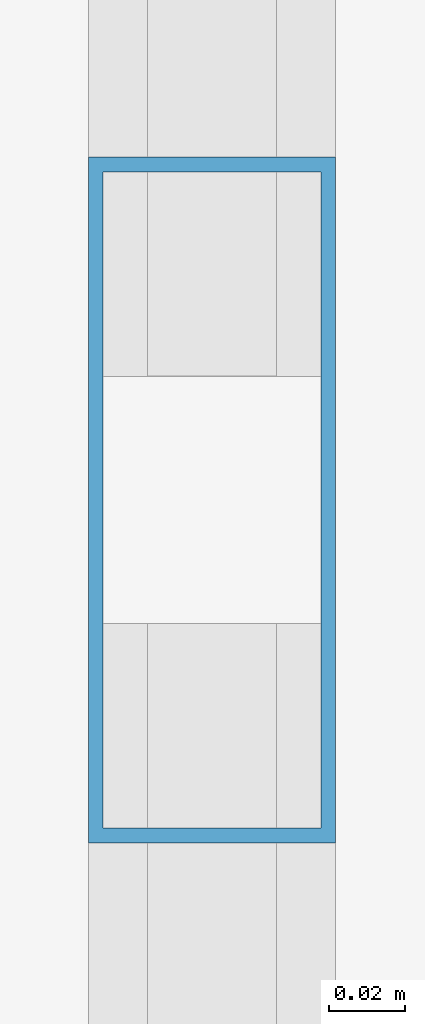
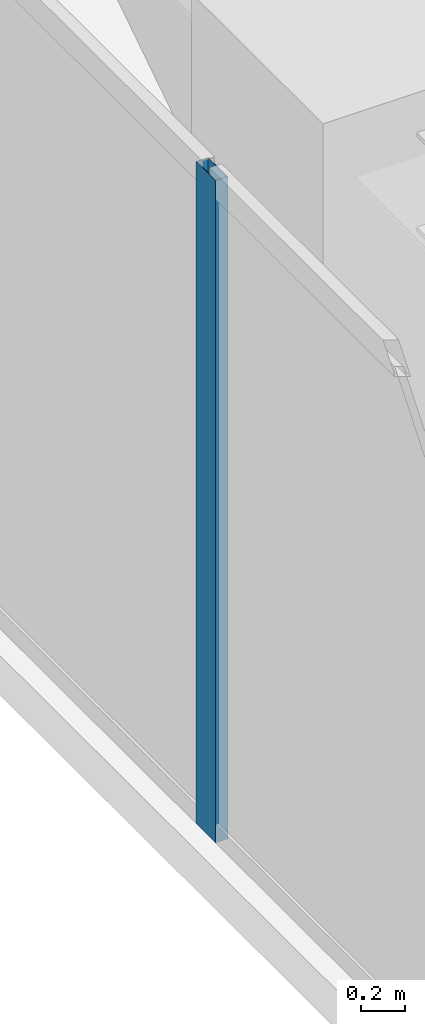
# One storey, part 13 of 30: 1 member, 1 element without a shape of its own.
"""IFC4 building model written with IfcOpenShell, lengths in metres."""

from ifc_helpers import new_model, si_unit, direction, frame, origin, origin_2d, place, context, subcontext, project, spatial, hollow_rectangle, extrude, material, layer, layer_set, material_profile, profile_set, type_object, element, aggregate, save


model = new_model("IFC4")

# Units and contexts
model_context = context("Model", 3, precision=1e-05, world=origin(), true_north=direction((0.0, 1.0)))
body_context = subcontext(model_context, "Body", "Model", "MODEL_VIEW")
ifc_project = project(units=[si_unit("LENGTHUNIT", "METRE"), si_unit("AREAUNIT", "SQUARE_METRE"), si_unit("VOLUMEUNIT", "CUBIC_METRE"), si_unit("PLANEANGLEUNIT", "RADIAN"), si_unit("MASSUNIT", "GRAM", prefix="KILO")], contexts=[model_context])

# Site, building, storey
site_placement = place(None, origin())
site = spatial("IfcSite", under=ifc_project, at=site_placement, CompositionType="ELEMENT")
building_placement = place(site_placement, origin())
building = spatial("IfcBuilding", under=site, at=building_placement, Name="Kiyonajd Concourse Tower", CompositionType="ELEMENT")
storey_placement = place(building_placement, frame((0.0, 0.0, 190.199951171875)))
storey = spatial("IfcBuildingStorey", under=building, at=storey_placement, Name="L48", CompositionType="ELEMENT", Elevation=190.199951171875)

# Curtain wall, member
ifc_material = material(Name="Thermally Broken Anodised Aluminium", Category="aluminium")
ifc_layer = layer(ifc_material, 0.179931640625)
ifc_layer_set = layer_set([ifc_layer], Name="Thermally Broken Anodised Aluminium")
curtain_wall_type = type_object("IfcCurtainWallType", Name="CW-SYS-03", PredefinedType="NOTDEFINED", material=ifc_layer_set)
curtain_wall_placement = place(storey_placement, origin())
curtain_wall = element("IfcCurtainWall", 1, at=curtain_wall_placement, inside=storey, type_object=curtain_wall_type, Name="L48 Unitised Curtain Wall CW3", PredefinedType="NOTDEFINED")
ifc_material_profile = material_profile(ifc_material, hollow_rectangle(XDim=0.06494140625, YDim=0.179931640625, WallThickness=0.00390625, at=origin_2d()), Name="MULL-65x180")
ifc_profile_set = profile_set([ifc_material_profile], Name="Thermally Broken Anodised Aluminium")
member_type = type_object("IfcMemberType", Name="MB-CW-MULL1", PredefinedType="MULLION", material=ifc_profile_set)
member_placement = place(storey_placement, frame((18.139892578125, 53.0146484375, 0.0), z_axis=(0.0, 0.0, 1.0), x_axis=(-1.0, 0.0, 0.0)))
member = element("IfcMember", 2, at=member_placement, type_object=member_type, Name="CW3 mullion 6", PredefinedType="MULLION", context=body_context, shape_type="SweptSolid", body=[
    extrude(hollow_rectangle(XDim=0.06494140625, YDim=0.179931640625, WallThickness=0.00390625, at=origin_2d()), origin(), (0.0, 0.0, 1.0), 3.679931640625),
])
aggregate(curtain_wall, [member])

save(model, "model.ifc")
